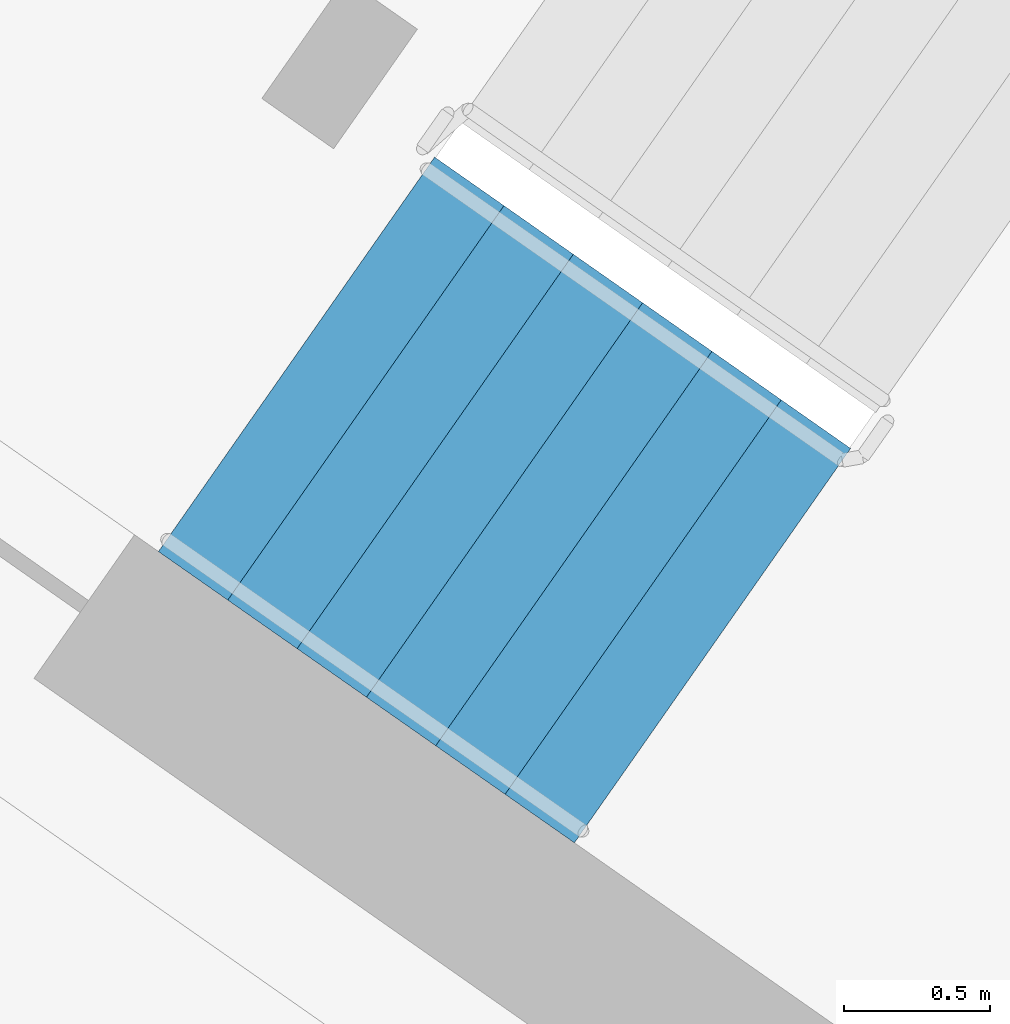
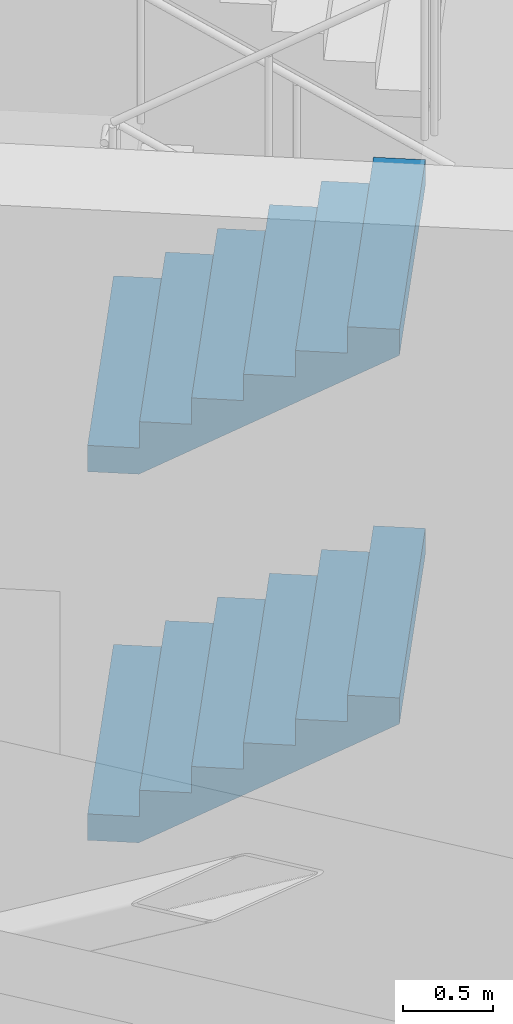
# One storey, part 13 of 24: 2 stair flights, 1 element without a shape of its own.
"""IFC4 building model written with IfcOpenShell, lengths in metres."""

import ifcopenshell
import ifcopenshell.guid

model = None  # the IFC model being written
_history = None  # IfcOwnerHistory: only IFC2X3 demands one
_inside = {}  # id of a spatial element -> (the spatial element, [elements in it])
_under = {}  # id of a project, library or spatial element -> (it, [spatial elements below it])
_declared = {}  # id of a project -> (the project, [libraries it declares])
_typed = {}  # id of a type object -> (the type object, [elements of that type])
_made_of = {}  # id of a material, layer set ... -> (it, [elements and type objects made of it])


def new_model(schema):
    """Start an empty IFC model of exactly this schema.

    Asked for "IFC4X3", IfcOpenShell would pick the latest addendum, in which some entities
    have other attributes; the version numbers below select the first issue.
    IFC2X3 requires an IfcOwnerHistory on every rooted entity: one is made here for all.
    """
    global model, _history
    if schema == "IFC4X3":
        model = ifcopenshell.file(schema_version=(4, 3, 0, 0))
    else:
        model = ifcopenshell.file(schema=schema)
    _inside.clear()
    _under.clear()
    _declared.clear()
    _typed.clear()
    _made_of.clear()
    _history = None
    if model.schema == "IFC2X3":
        org = make("IfcOrganization", Name="unknown")
        user = make(
            "IfcPersonAndOrganization",
            ThePerson=make("IfcPerson", FamilyName="unknown"),
            TheOrganization=org,
        )
        app = make(
            "IfcApplication",
            ApplicationDeveloper=org,
            Version="unknown",
            ApplicationFullName="unknown",
            ApplicationIdentifier="unknown",
        )
        _history = make(
            "IfcOwnerHistory",
            OwningUser=user,
            OwningApplication=app,
            ChangeAction="ADDED",
            CreationDate=0,
        )
    return model


def make(cls, **values):
    """One entity of the class cls with the attributes given. An attribute that is None is left unset."""
    return model.create_entity(
        cls, **{name: value for name, value in values.items() if value is not None}
    )


def rooted(cls, **values):
    """An entity with a GlobalId (a new one), such as an element, a storey or a relation."""
    return make(cls, GlobalId=ifcopenshell.guid.new(), OwnerHistory=_history, **values)


def si_unit(unit_type, name, prefix=None):
    """IfcSIUnit, for example si_unit("LENGTHUNIT", "METRE", prefix="MILLI")."""
    return make("IfcSIUnit", UnitType=unit_type, Prefix=prefix, Name=name)


def assignment(units):
    """IfcUnitAssignment: the units of a project."""
    return None if units is None else make("IfcUnitAssignment", Units=units)


def point(xyz):
    """IfcCartesianPoint."""
    return None if xyz is None else make("IfcCartesianPoint", Coordinates=xyz)


def direction(xyz):
    """IfcDirection."""
    return None if xyz is None else make("IfcDirection", DirectionRatios=xyz)


def frame(location, z_axis=None, x_axis=None):
    """IfcAxis2Placement3D, a coordinate frame: its origin and axes. An axis left out is left unset."""
    return make(
        "IfcAxis2Placement3D",
        Location=point(location),
        Axis=direction(z_axis),
        RefDirection=direction(x_axis),
    )


def origin():
    """The frame at (0, 0, 0) with its axes left unset."""
    return frame((0.0, 0.0, 0.0))


def place(relative_to, where):
    """IfcLocalPlacement: puts the frame where relative to a parent placement (None: the world)."""
    return make(
        "IfcLocalPlacement", PlacementRelTo=relative_to, RelativePlacement=where
    )


def context(
    kind, dimensions, precision=None, world=None, true_north=None, identifier=None
):
    """IfcGeometricRepresentationContext, for example the 3D "Model" context."""
    return make(
        "IfcGeometricRepresentationContext",
        ContextIdentifier=identifier,
        ContextType=kind,
        CoordinateSpaceDimension=dimensions,
        Precision=precision,
        WorldCoordinateSystem=world,
        TrueNorth=true_north,
    )


def subcontext(parent, identifier, kind, view, scale=None):
    """IfcGeometricRepresentationSubContext, for example "Body" below "Model"."""
    return make(
        "IfcGeometricRepresentationSubContext",
        ContextIdentifier=identifier,
        ContextType=kind,
        ParentContext=parent,
        TargetScale=scale,
        TargetView=view,
    )


def project(units=None, contexts=None):
    """IfcProject with its units and contexts."""
    return rooted(
        "IfcProject",
        Name="project",
        RepresentationContexts=contexts,
        UnitsInContext=assignment(units),
    )


def spatial(cls, under=None, at=None, **own):
    """A site, building, storey or space (cls), placed at a placement, below another one or the project."""
    s = rooted(cls, ObjectPlacement=at, **own)
    if under is not None:
        _under.setdefault(under.id(), (under, []))[1].append(s)
    return s


def faces_of(points, faces, orient=None, outer=None):
    """IfcFace entities. A face is a list of loops; a loop is a list of indices into points, from 0.

    orient and outer hold one flag for each loop. By default every Orientation is true, the
    first loop of a face is its IfcFaceOuterBound and the others are IfcFaceBound.
    """
    made = []
    for i, loops in enumerate(faces):
        bounds = []
        for j, loop in enumerate(loops):
            is_outer = j == 0 if outer is None else outer[i][j]
            bounds.append(
                make(
                    "IfcFaceOuterBound" if is_outer else "IfcFaceBound",
                    Bound=make("IfcPolyLoop", Polygon=[points[k] for k in loop]),
                    Orientation=True if orient is None else orient[i][j],
                )
            )
        made.append(make("IfcFace", Bounds=bounds))
    return made


def faceted_brep(points, faces, orient=None, outer=None, voids=None):
    """IfcFacetedBrep: a solid bounded by flat faces; with voids (closed shells), ...WithVoids."""
    shared = [point(p) for p in points]
    hull = make("IfcClosedShell", CfsFaces=faces_of(shared, faces, orient, outer))
    if voids is None:
        return make("IfcFacetedBrep", Outer=hull)
    return make(
        "IfcFacetedBrepWithVoids",
        Outer=hull,
        Voids=[
            make(cls, CfsFaces=faces_of(shared, fs, o, b)) for cls, fs, o, b in voids
        ],
    )


def shape(context_of_items, identifier, shape_type, items):
    """IfcShapeRepresentation: the items that make up one representation, for example the "Body"."""
    return make(
        "IfcShapeRepresentation",
        ContextOfItems=context_of_items,
        RepresentationIdentifier=identifier,
        RepresentationType=shape_type,
        Items=items,
    )


def material(Name=None, Category=None):
    """IfcMaterial."""
    return make("IfcMaterial", Name=Name, Category=Category)


def made_of(thing, what):
    """Note that an element or type object is made of a material, layer set ...; save() writes the relation."""
    if what is not None:
        _made_of.setdefault(what.id(), (what, []))[1].append(thing)
    return thing


def type_object(cls, material=None, **own):
    """A type object (cls), such as IfcWallType, which elements share."""
    return made_of(rooted(cls, **own), material)


def element(
    cls,
    number,
    at=None,
    inside=None,
    cuts=None,
    type_object=None,
    material=None,
    context=None,
    identifier="Body",
    shape_type=None,
    held_by="IfcProductDefinitionShape",
    body=None,
    shapes=None,
    **own,
):
    """One element of the class cls, such as IfcWall. Its Tag is "e" and its number.

    at: its placement. inside: the storey or other place that contains it. cuts: it is an
    opening in that element (IfcRelVoidsElement). A single representation is given by context,
    identifier, shape_type and body (its items); several are given by shapes. held_by: the class
    of the entity that holds the representations. save() writes the other relations.
    """
    e = rooted(cls, Tag="e%d" % number, ObjectPlacement=at, **own)
    if body is not None:
        shapes = [shape(context, identifier, shape_type, body)]
    if shapes is not None:
        e.Representation = make(held_by, Representations=shapes)
    if inside is not None:
        _inside.setdefault(inside.id(), (inside, []))[1].append(e)
    if cuts is not None:
        rooted(
            "IfcRelVoidsElement", RelatingBuildingElement=cuts, RelatedOpeningElement=e
        )
    if type_object is not None:
        _typed.setdefault(type_object.id(), (type_object, []))[1].append(e)
    return made_of(e, material)


def aggregate(whole, parts):
    """IfcRelAggregates: a whole, such as a stair, and the parts it consists of."""
    return rooted("IfcRelAggregates", RelatingObject=whole, RelatedObjects=parts)


def save(model, path):
    """Write the relations noted so far, then the file.

    IfcRelAggregates (storeys below a building ...), IfcRelContainedInSpatialStructure (elements
    in a storey), IfcRelDefinesByType, IfcRelAssociatesMaterial and IfcRelDeclares: one each for
    every whole, place, type object, material and project.
    """
    for whole, parts in _under.values():
        aggregate(whole, parts)
    for where, things in _inside.values():
        rooted(
            "IfcRelContainedInSpatialStructure",
            RelatedElements=things,
            RelatingStructure=where,
        )
    for kind, things in _typed.values():
        rooted("IfcRelDefinesByType", RelatedObjects=things, RelatingType=kind)
    for what, things in _made_of.values():
        rooted("IfcRelAssociatesMaterial", RelatedObjects=things, RelatingMaterial=what)
    for by, libraries in _declared.values():
        rooted("IfcRelDeclares", RelatingContext=by, RelatedDefinitions=libraries)
    model.write(path)


model = new_model("IFC4")

# Units and contexts
model_context = context("Model", 3, precision=1e-05, world=origin(), true_north=direction((0.0, 1.0)))
body_context = subcontext(model_context, "Body", "Model", "MODEL_VIEW")
ifc_project = project(units=[si_unit("LENGTHUNIT", "METRE"), si_unit("AREAUNIT", "SQUARE_METRE"), si_unit("VOLUMEUNIT", "CUBIC_METRE"), si_unit("PLANEANGLEUNIT", "RADIAN"), si_unit("MASSUNIT", "GRAM", prefix="KILO")], contexts=[model_context])

# Site, building, storey
site_placement = place(None, origin())
site = spatial("IfcSite", under=ifc_project, at=site_placement, CompositionType="ELEMENT")
building_placement = place(site_placement, origin())
building = spatial("IfcBuilding", under=site, at=building_placement, Name="Qamariyya Broadcast Tower", CompositionType="ELEMENT")
storey_placement = place(building_placement, frame((0.0, 0.0, 253.10009765625)))
storey = spatial("IfcBuildingStorey", under=building, at=storey_placement, Name="L61", CompositionType="ELEMENT", Elevation=253.10009765625)

# Stair, stair flights
ifc_material = material(Name="Concrete C50/60", Category="concrete")
stair_type = type_object("IfcStairType", Name="Exit stair 28 risers of 179 mm", PredefinedType="HALF_TURN_STAIR", material=ifc_material)
stair_placement = place(storey_placement, origin())
stair = element("IfcStair", 1, at=stair_placement, inside=storey, type_object=stair_type, Name="L61 Stair W1", PredefinedType="HALF_TURN_STAIR")
stair_flight_type = type_object("IfcStairFlightType", Name="Exit stair flight 7 risers of 179 mm", PredefinedType="STRAIGHT", material=ifc_material)
stair_flight_1_placement = place(storey_placement, frame((-47.06884765625, -56.982666015625, 0.0), z_axis=(0.0, 0.0, 1.0), x_axis=(0.819152044289, -0.573576436351, 0.0)))
stair_flight_1 = element("IfcStairFlight", 2, at=stair_flight_1_placement, type_object=stair_flight_type, Name="ST-W1 flight 1", NumberOfRisers=7, NumberOfTreads=6, PredefinedType="STRAIGHT", RiserHeight=0.178571429, TreadLength=0.29, context=body_context, shape_type="Brep", body=[
    faceted_brep([(0.0, 0.824951171875, 0.0), (0.0, 0.824951171875, 0.178466796875), (0.2900390625, 0.824951171875, 0.178466796875), (0.2900390625, 0.824951171875, 0.357177734375), (0.580078125, 0.824951171875, 0.357177734375), (0.580078125, 0.824951171875, 0.53564453125), (0.8701171875, 0.824951171875, 0.53564453125), (0.8701171875, 0.824951171875, 0.71435546875), (1.159912109375, 0.824951171875, 0.71435546875), (1.159912109375, 0.824951171875, 0.892822265625), (1.449951171875, 0.824951171875, 0.892822265625), (1.449951171875, 0.824951171875, 1.071533203125), (1.739990234375, 0.824951171875, 1.071533203125), (1.739990234375, 0.824951171875, 0.8955078125), (0.285888671875, 0.824951171875, 0.0), (0.285888671875, -0.824951171875, 0.0), (1.739990234375, -0.824951171875, 0.8955078125), (1.739990234375, -0.824951171875, 1.071533203125), (1.449951171875, -0.824951171875, 1.071533203125), (1.449951171875, -0.824951171875, 0.892822265625), (1.159912109375, -0.824951171875, 0.892822265625), (1.159912109375, -0.824951171875, 0.71435546875), (0.8701171875, -0.824951171875, 0.71435546875), (0.8701171875, -0.824951171875, 0.53564453125), (0.580078125, -0.824951171875, 0.53564453125), (0.580078125, -0.824951171875, 0.357177734375), (0.2900390625, -0.824951171875, 0.357177734375), (0.2900390625, -0.824951171875, 0.178466796875), (0.0, -0.824951171875, 0.178466796875), (0.0, -0.824951171875, 0.0), (0.0, 0.10009765625, 0.0), (0.0, 0.086669921875, 0.0), (0.0, 0.0732421875, 0.0), (0.0, 0.06005859375, 0.0), (0.0, 0.046630859375, 0.0), (0.0, 0.033447265625, 0.0), (0.0, 0.02001953125, 0.0), (0.0, 0.006591796875, 0.0), (0.0, -0.006591796875, 0.0), (0.0, -0.02001953125, 0.0), (0.0, -0.033447265625, 0.0), (0.0, -0.046630859375, 0.0), (0.0, -0.06005859375, 0.0), (0.0, -0.0732421875, 0.0), (0.0, -0.086669921875, 0.0), (0.0, -0.10009765625, 0.0), (0.0, -0.10009765625, 0.178466796875), (0.0, -0.086669921875, 0.178466796875), (0.0, -0.0732421875, 0.178466796875), (0.0, -0.06005859375, 0.178466796875), (0.0, -0.046630859375, 0.178466796875), (0.0, -0.033447265625, 0.178466796875), (0.0, -0.02001953125, 0.178466796875), (0.0, -0.006591796875, 0.178466796875), (0.0, 0.006591796875, 0.178466796875), (0.0, 0.02001953125, 0.178466796875), (0.0, 0.033447265625, 0.178466796875), (0.0, 0.046630859375, 0.178466796875), (0.0, 0.06005859375, 0.178466796875), (0.0, 0.0732421875, 0.178466796875), (0.0, 0.086669921875, 0.178466796875), (0.0, 0.10009765625, 0.178466796875), (0.2900390625, -0.10009765625, 0.178466796875), (0.2900390625, -0.086669921875, 0.178466796875), (0.2900390625, -0.0732421875, 0.178466796875), (0.2900390625, -0.06005859375, 0.178466796875), (0.2900390625, -0.046630859375, 0.178466796875), (0.2900390625, -0.033447265625, 0.178466796875), (0.2900390625, -0.02001953125, 0.178466796875), (0.2900390625, -0.006591796875, 0.178466796875), (0.2900390625, 0.006591796875, 0.178466796875), (0.2900390625, 0.02001953125, 0.178466796875), (0.2900390625, 0.033447265625, 0.178466796875), (0.2900390625, 0.046630859375, 0.178466796875), (0.2900390625, 0.06005859375, 0.178466796875), (0.2900390625, 0.0732421875, 0.178466796875), (0.2900390625, 0.086669921875, 0.178466796875), (0.2900390625, 0.10009765625, 0.178466796875), (0.2900390625, -0.10009765625, 0.357177734375), (0.2900390625, -0.086669921875, 0.357177734375), (0.2900390625, -0.0732421875, 0.357177734375), (0.2900390625, -0.06005859375, 0.357177734375), (0.2900390625, -0.046630859375, 0.357177734375), (0.2900390625, -0.033447265625, 0.357177734375), (0.2900390625, -0.02001953125, 0.357177734375), (0.2900390625, -0.006591796875, 0.357177734375), (0.2900390625, 0.006591796875, 0.357177734375), (0.2900390625, 0.02001953125, 0.357177734375), (0.2900390625, 0.033447265625, 0.357177734375), (0.2900390625, 0.046630859375, 0.357177734375), (0.2900390625, 0.06005859375, 0.357177734375), (0.2900390625, 0.0732421875, 0.357177734375), (0.2900390625, 0.086669921875, 0.357177734375), (0.2900390625, 0.10009765625, 0.357177734375), (0.580078125, -0.10009765625, 0.357177734375), (0.580078125, -0.086669921875, 0.357177734375), (0.580078125, -0.0732421875, 0.357177734375), (0.580078125, -0.06005859375, 0.357177734375), (0.580078125, -0.046630859375, 0.357177734375), (0.580078125, -0.033447265625, 0.357177734375), (0.580078125, -0.02001953125, 0.357177734375), (0.580078125, -0.006591796875, 0.357177734375), (0.580078125, 0.006591796875, 0.357177734375), (0.580078125, 0.02001953125, 0.357177734375), (0.580078125, 0.033447265625, 0.357177734375), (0.580078125, 0.046630859375, 0.357177734375), (0.580078125, 0.06005859375, 0.357177734375), (0.580078125, 0.0732421875, 0.357177734375), (0.580078125, 0.086669921875, 0.357177734375), (0.580078125, 0.10009765625, 0.357177734375), (0.580078125, -0.10009765625, 0.53564453125), (0.580078125, -0.086669921875, 0.53564453125), (0.580078125, -0.0732421875, 0.53564453125), (0.580078125, -0.06005859375, 0.53564453125), (0.580078125, -0.046630859375, 0.53564453125), (0.580078125, -0.033447265625, 0.53564453125), (0.580078125, -0.02001953125, 0.53564453125), (0.580078125, -0.006591796875, 0.53564453125), (0.580078125, 0.006591796875, 0.53564453125), (0.580078125, 0.02001953125, 0.53564453125), (0.580078125, 0.033447265625, 0.53564453125), (0.580078125, 0.046630859375, 0.53564453125), (0.580078125, 0.06005859375, 0.53564453125), (0.580078125, 0.0732421875, 0.53564453125), (0.580078125, 0.086669921875, 0.53564453125), (0.580078125, 0.10009765625, 0.53564453125), (0.8701171875, -0.10009765625, 0.53564453125), (0.8701171875, -0.086669921875, 0.53564453125), (0.8701171875, -0.0732421875, 0.53564453125), (0.8701171875, -0.06005859375, 0.53564453125), (0.8701171875, -0.046630859375, 0.53564453125), (0.8701171875, -0.033447265625, 0.53564453125), (0.8701171875, -0.02001953125, 0.53564453125), (0.8701171875, -0.006591796875, 0.53564453125), (0.8701171875, 0.006591796875, 0.53564453125), (0.8701171875, 0.02001953125, 0.53564453125), (0.8701171875, 0.033447265625, 0.53564453125), (0.8701171875, 0.046630859375, 0.53564453125), (0.8701171875, 0.06005859375, 0.53564453125), (0.8701171875, 0.0732421875, 0.53564453125), (0.8701171875, 0.086669921875, 0.53564453125), (0.8701171875, 0.10009765625, 0.53564453125), (0.8701171875, -0.10009765625, 0.71435546875), (0.8701171875, -0.086669921875, 0.71435546875), (0.8701171875, -0.0732421875, 0.71435546875), (0.8701171875, -0.06005859375, 0.71435546875), (0.8701171875, -0.046630859375, 0.71435546875), (0.8701171875, -0.033447265625, 0.71435546875), (0.8701171875, -0.02001953125, 0.71435546875), (0.8701171875, -0.006591796875, 0.71435546875), (0.8701171875, 0.006591796875, 0.71435546875), (0.8701171875, 0.02001953125, 0.71435546875), (0.8701171875, 0.033447265625, 0.71435546875), (0.8701171875, 0.046630859375, 0.71435546875), (0.8701171875, 0.06005859375, 0.71435546875), (0.8701171875, 0.0732421875, 0.71435546875), (0.8701171875, 0.086669921875, 0.71435546875), (0.8701171875, 0.10009765625, 0.71435546875), (1.159912109375, -0.10009765625, 0.71435546875), (1.159912109375, -0.086669921875, 0.71435546875), (1.159912109375, -0.0732421875, 0.71435546875), (1.159912109375, -0.06005859375, 0.71435546875), (1.159912109375, -0.046630859375, 0.71435546875), (1.159912109375, -0.033447265625, 0.71435546875), (1.159912109375, -0.02001953125, 0.71435546875), (1.159912109375, -0.006591796875, 0.71435546875), (1.159912109375, 0.006591796875, 0.71435546875), (1.159912109375, 0.02001953125, 0.71435546875), (1.159912109375, 0.033447265625, 0.71435546875), (1.159912109375, 0.046630859375, 0.71435546875), (1.159912109375, 0.06005859375, 0.71435546875), (1.159912109375, 0.0732421875, 0.71435546875), (1.159912109375, 0.086669921875, 0.71435546875), (1.159912109375, 0.10009765625, 0.71435546875), (1.159912109375, -0.10009765625, 0.892822265625), (1.159912109375, -0.086669921875, 0.892822265625), (1.159912109375, -0.0732421875, 0.892822265625), (1.159912109375, -0.06005859375, 0.892822265625), (1.159912109375, -0.046630859375, 0.892822265625), (1.159912109375, -0.033447265625, 0.892822265625), (1.159912109375, -0.02001953125, 0.892822265625), (1.159912109375, -0.006591796875, 0.892822265625), (1.159912109375, 0.006591796875, 0.892822265625), (1.159912109375, 0.02001953125, 0.892822265625), (1.159912109375, 0.033447265625, 0.892822265625), (1.159912109375, 0.046630859375, 0.892822265625), (1.159912109375, 0.06005859375, 0.892822265625), (1.159912109375, 0.0732421875, 0.892822265625), (1.159912109375, 0.086669921875, 0.892822265625), (1.159912109375, 0.10009765625, 0.892822265625), (1.449951171875, -0.10009765625, 0.892822265625), (1.449951171875, -0.086669921875, 0.892822265625), (1.449951171875, -0.0732421875, 0.892822265625), (1.449951171875, -0.06005859375, 0.892822265625), (1.449951171875, -0.046630859375, 0.892822265625), (1.449951171875, -0.033447265625, 0.892822265625), (1.449951171875, -0.02001953125, 0.892822265625), (1.449951171875, -0.006591796875, 0.892822265625), (1.449951171875, 0.006591796875, 0.892822265625), (1.449951171875, 0.02001953125, 0.892822265625), (1.449951171875, 0.033447265625, 0.892822265625), (1.449951171875, 0.046630859375, 0.892822265625), (1.449951171875, 0.06005859375, 0.892822265625), (1.449951171875, 0.0732421875, 0.892822265625), (1.449951171875, 0.086669921875, 0.892822265625), (1.449951171875, 0.10009765625, 0.892822265625), (1.449951171875, -0.10009765625, 1.071533203125), (1.449951171875, -0.086669921875, 1.071533203125), (1.449951171875, -0.0732421875, 1.071533203125), (1.449951171875, -0.06005859375, 1.071533203125), (1.449951171875, -0.046630859375, 1.071533203125), (1.449951171875, -0.033447265625, 1.071533203125), (1.449951171875, -0.02001953125, 1.071533203125), (1.449951171875, -0.006591796875, 1.071533203125), (1.449951171875, 0.006591796875, 1.071533203125), (1.449951171875, 0.02001953125, 1.071533203125), (1.449951171875, 0.033447265625, 1.071533203125), (1.449951171875, 0.046630859375, 1.071533203125), (1.449951171875, 0.06005859375, 1.071533203125), (1.449951171875, 0.0732421875, 1.071533203125), (1.449951171875, 0.086669921875, 1.071533203125), (1.449951171875, 0.10009765625, 1.071533203125), (1.739990234375, -0.10009765625, 1.071533203125), (1.739990234375, -0.086669921875, 1.071533203125), (1.739990234375, -0.0732421875, 1.071533203125), (1.739990234375, -0.06005859375, 1.071533203125), (1.739990234375, -0.046630859375, 1.071533203125), (1.739990234375, -0.033447265625, 1.071533203125), (1.739990234375, -0.02001953125, 1.071533203125), (1.739990234375, -0.006591796875, 1.071533203125), (1.739990234375, 0.006591796875, 1.071533203125), (1.739990234375, 0.02001953125, 1.071533203125), (1.739990234375, 0.033447265625, 1.071533203125), (1.739990234375, 0.046630859375, 1.071533203125), (1.739990234375, 0.06005859375, 1.071533203125), (1.739990234375, 0.0732421875, 1.071533203125), (1.739990234375, 0.086669921875, 1.071533203125), (1.739990234375, 0.10009765625, 1.071533203125), (1.739990234375, -0.10009765625, 0.8955078125), (1.739990234375, -0.086669921875, 0.8955078125), (1.739990234375, -0.0732421875, 0.8955078125), (1.739990234375, -0.06005859375, 0.8955078125), (1.739990234375, -0.046630859375, 0.8955078125), (1.739990234375, -0.033447265625, 0.8955078125), (1.739990234375, -0.02001953125, 0.8955078125), (1.739990234375, -0.006591796875, 0.8955078125), (1.739990234375, 0.006591796875, 0.8955078125), (1.739990234375, 0.02001953125, 0.8955078125), (1.739990234375, 0.033447265625, 0.8955078125), (1.739990234375, 0.046630859375, 0.8955078125), (1.739990234375, 0.06005859375, 0.8955078125), (1.739990234375, 0.0732421875, 0.8955078125), (1.739990234375, 0.086669921875, 0.8955078125), (1.739990234375, 0.10009765625, 0.8955078125), (0.285888671875, -0.10009765625, 0.0), (0.285888671875, -0.086669921875, 0.0), (0.285888671875, -0.0732421875, 0.0), (0.285888671875, -0.06005859375, 0.0), (0.285888671875, -0.046630859375, 0.0), (0.285888671875, -0.033447265625, 0.0), (0.285888671875, -0.02001953125, 0.0), (0.285888671875, -0.006591796875, 0.0), (0.285888671875, 0.006591796875, 0.0), (0.285888671875, 0.02001953125, 0.0), (0.285888671875, 0.033447265625, 0.0), (0.285888671875, 0.046630859375, 0.0), (0.285888671875, 0.06005859375, 0.0), (0.285888671875, 0.0732421875, 0.0), (0.285888671875, 0.086669921875, 0.0), (0.285888671875, 0.10009765625, 0.0)], [[[0, 1, 2, 3, 4, 5, 6, 7, 8, 9, 10, 11, 12, 13, 14]], [[15, 16, 17, 18, 19, 20, 21, 22, 23, 24, 25, 26, 27, 28, 29]], [[0, 30, 31, 32, 33, 34, 35, 36, 37, 38, 39, 40, 41, 42, 43, 44, 45, 29, 28, 46, 47, 48, 49, 50, 51, 52, 53, 54, 55, 56, 57, 58, 59, 60, 61, 1]], [[1, 61, 60, 59, 58, 57, 56, 55, 54, 53, 52, 51, 50, 49, 48, 47, 46, 28, 27, 62, 63, 64, 65, 66, 67, 68, 69, 70, 71, 72, 73, 74, 75, 76, 77, 2]], [[2, 77, 76, 75, 74, 73, 72, 71, 70, 69, 68, 67, 66, 65, 64, 63, 62, 27, 26, 78, 79, 80, 81, 82, 83, 84, 85, 86, 87, 88, 89, 90, 91, 92, 93, 3]], [[3, 93, 92, 91, 90, 89, 88, 87, 86, 85, 84, 83, 82, 81, 80, 79, 78, 26, 25, 94, 95, 96, 97, 98, 99, 100, 101, 102, 103, 104, 105, 106, 107, 108, 109, 4]], [[4, 109, 108, 107, 106, 105, 104, 103, 102, 101, 100, 99, 98, 97, 96, 95, 94, 25, 24, 110, 111, 112, 113, 114, 115, 116, 117, 118, 119, 120, 121, 122, 123, 124, 125, 5]], [[5, 125, 124, 123, 122, 121, 120, 119, 118, 117, 116, 115, 114, 113, 112, 111, 110, 24, 23, 126, 127, 128, 129, 130, 131, 132, 133, 134, 135, 136, 137, 138, 139, 140, 141, 6]], [[6, 141, 140, 139, 138, 137, 136, 135, 134, 133, 132, 131, 130, 129, 128, 127, 126, 23, 22, 142, 143, 144, 145, 146, 147, 148, 149, 150, 151, 152, 153, 154, 155, 156, 157, 7]], [[7, 157, 156, 155, 154, 153, 152, 151, 150, 149, 148, 147, 146, 145, 144, 143, 142, 22, 21, 158, 159, 160, 161, 162, 163, 164, 165, 166, 167, 168, 169, 170, 171, 172, 173, 8]], [[8, 173, 172, 171, 170, 169, 168, 167, 166, 165, 164, 163, 162, 161, 160, 159, 158, 21, 20, 174, 175, 176, 177, 178, 179, 180, 181, 182, 183, 184, 185, 186, 187, 188, 189, 9]], [[9, 189, 188, 187, 186, 185, 184, 183, 182, 181, 180, 179, 178, 177, 176, 175, 174, 20, 19, 190, 191, 192, 193, 194, 195, 196, 197, 198, 199, 200, 201, 202, 203, 204, 205, 10]], [[10, 205, 204, 203, 202, 201, 200, 199, 198, 197, 196, 195, 194, 193, 192, 191, 190, 19, 18, 206, 207, 208, 209, 210, 211, 212, 213, 214, 215, 216, 217, 218, 219, 220, 221, 11]], [[11, 221, 220, 219, 218, 217, 216, 215, 214, 213, 212, 211, 210, 209, 208, 207, 206, 18, 17, 222, 223, 224, 225, 226, 227, 228, 229, 230, 231, 232, 233, 234, 235, 236, 237, 12]], [[12, 237, 236, 235, 234, 233, 232, 231, 230, 229, 228, 227, 226, 225, 224, 223, 222, 17, 16, 238, 239, 240, 241, 242, 243, 244, 245, 246, 247, 248, 249, 250, 251, 252, 253, 13]], [[13, 253, 252, 251, 250, 249, 248, 247, 246, 245, 244, 243, 242, 241, 240, 239, 238, 16, 15, 254, 255, 256, 257, 258, 259, 260, 261, 262, 263, 264, 265, 266, 267, 268, 269, 14]], [[14, 269, 268, 267, 266, 265, 264, 263, 262, 261, 260, 259, 258, 257, 256, 255, 254, 15, 29, 45, 44, 43, 42, 41, 40, 39, 38, 37, 36, 35, 34, 33, 32, 31, 30, 0]]]),
])
stair_flight_2_placement = place(storey_placement, frame((-47.06884765625, -56.982666015625, 2.5), z_axis=(0.0, 0.0, 1.0), x_axis=(0.819152044289, -0.573576436351, 0.0)))
stair_flight_2 = element("IfcStairFlight", 3, at=stair_flight_2_placement, type_object=stair_flight_type, Name="ST-W1 flight 3", NumberOfRisers=7, NumberOfTreads=6, PredefinedType="STRAIGHT", RiserHeight=0.178571429, TreadLength=0.29, context=body_context, shape_type="Brep", body=[
    faceted_brep([(0.0, 0.824951171875, 0.0), (0.0, 0.824951171875, 0.178466796875), (0.2900390625, 0.824951171875, 0.178466796875), (0.2900390625, 0.824951171875, 0.357177734375), (0.580078125, 0.824951171875, 0.357177734375), (0.580078125, 0.824951171875, 0.53564453125), (0.8701171875, 0.824951171875, 0.53564453125), (0.8701171875, 0.824951171875, 0.71435546875), (1.159912109375, 0.824951171875, 0.71435546875), (1.159912109375, 0.824951171875, 0.892822265625), (1.449951171875, 0.824951171875, 0.892822265625), (1.449951171875, 0.824951171875, 1.071533203125), (1.739990234375, 0.824951171875, 1.071533203125), (1.739990234375, 0.824951171875, 0.8955078125), (0.285888671875, 0.824951171875, 0.0), (0.285888671875, -0.824951171875, 0.0), (1.739990234375, -0.824951171875, 0.8955078125), (1.739990234375, -0.824951171875, 1.071533203125), (1.449951171875, -0.824951171875, 1.071533203125), (1.449951171875, -0.824951171875, 0.892822265625), (1.159912109375, -0.824951171875, 0.892822265625), (1.159912109375, -0.824951171875, 0.71435546875), (0.8701171875, -0.824951171875, 0.71435546875), (0.8701171875, -0.824951171875, 0.53564453125), (0.580078125, -0.824951171875, 0.53564453125), (0.580078125, -0.824951171875, 0.357177734375), (0.2900390625, -0.824951171875, 0.357177734375), (0.2900390625, -0.824951171875, 0.178466796875), (0.0, -0.824951171875, 0.178466796875), (0.0, -0.824951171875, 0.0), (0.0, 0.10009765625, 0.0), (0.0, 0.086669921875, 0.0), (0.0, 0.0732421875, 0.0), (0.0, 0.06005859375, 0.0), (0.0, 0.046630859375, 0.0), (0.0, 0.033447265625, 0.0), (0.0, 0.02001953125, 0.0), (0.0, 0.006591796875, 0.0), (0.0, -0.006591796875, 0.0), (0.0, -0.02001953125, 0.0), (0.0, -0.033447265625, 0.0), (0.0, -0.046630859375, 0.0), (0.0, -0.06005859375, 0.0), (0.0, -0.0732421875, 0.0), (0.0, -0.086669921875, 0.0), (0.0, -0.10009765625, 0.0), (0.0, -0.10009765625, 0.178466796875), (0.0, -0.086669921875, 0.178466796875), (0.0, -0.0732421875, 0.178466796875), (0.0, -0.06005859375, 0.178466796875), (0.0, -0.046630859375, 0.178466796875), (0.0, -0.033447265625, 0.178466796875), (0.0, -0.02001953125, 0.178466796875), (0.0, -0.006591796875, 0.178466796875), (0.0, 0.006591796875, 0.178466796875), (0.0, 0.02001953125, 0.178466796875), (0.0, 0.033447265625, 0.178466796875), (0.0, 0.046630859375, 0.178466796875), (0.0, 0.06005859375, 0.178466796875), (0.0, 0.0732421875, 0.178466796875), (0.0, 0.086669921875, 0.178466796875), (0.0, 0.10009765625, 0.178466796875), (0.2900390625, -0.10009765625, 0.178466796875), (0.2900390625, -0.086669921875, 0.178466796875), (0.2900390625, -0.0732421875, 0.178466796875), (0.2900390625, -0.06005859375, 0.178466796875), (0.2900390625, -0.046630859375, 0.178466796875), (0.2900390625, -0.033447265625, 0.178466796875), (0.2900390625, -0.02001953125, 0.178466796875), (0.2900390625, -0.006591796875, 0.178466796875), (0.2900390625, 0.006591796875, 0.178466796875), (0.2900390625, 0.02001953125, 0.178466796875), (0.2900390625, 0.033447265625, 0.178466796875), (0.2900390625, 0.046630859375, 0.178466796875), (0.2900390625, 0.06005859375, 0.178466796875), (0.2900390625, 0.0732421875, 0.178466796875), (0.2900390625, 0.086669921875, 0.178466796875), (0.2900390625, 0.10009765625, 0.178466796875), (0.2900390625, -0.10009765625, 0.357177734375), (0.2900390625, -0.086669921875, 0.357177734375), (0.2900390625, -0.0732421875, 0.357177734375), (0.2900390625, -0.06005859375, 0.357177734375), (0.2900390625, -0.046630859375, 0.357177734375), (0.2900390625, -0.033447265625, 0.357177734375), (0.2900390625, -0.02001953125, 0.357177734375), (0.2900390625, -0.006591796875, 0.357177734375), (0.2900390625, 0.006591796875, 0.357177734375), (0.2900390625, 0.02001953125, 0.357177734375), (0.2900390625, 0.033447265625, 0.357177734375), (0.2900390625, 0.046630859375, 0.357177734375), (0.2900390625, 0.06005859375, 0.357177734375), (0.2900390625, 0.0732421875, 0.357177734375), (0.2900390625, 0.086669921875, 0.357177734375), (0.2900390625, 0.10009765625, 0.357177734375), (0.580078125, -0.10009765625, 0.357177734375), (0.580078125, -0.086669921875, 0.357177734375), (0.580078125, -0.0732421875, 0.357177734375), (0.580078125, -0.06005859375, 0.357177734375), (0.580078125, -0.046630859375, 0.357177734375), (0.580078125, -0.033447265625, 0.357177734375), (0.580078125, -0.02001953125, 0.357177734375), (0.580078125, -0.006591796875, 0.357177734375), (0.580078125, 0.006591796875, 0.357177734375), (0.580078125, 0.02001953125, 0.357177734375), (0.580078125, 0.033447265625, 0.357177734375), (0.580078125, 0.046630859375, 0.357177734375), (0.580078125, 0.06005859375, 0.357177734375), (0.580078125, 0.0732421875, 0.357177734375), (0.580078125, 0.086669921875, 0.357177734375), (0.580078125, 0.10009765625, 0.357177734375), (0.580078125, -0.10009765625, 0.53564453125), (0.580078125, -0.086669921875, 0.53564453125), (0.580078125, -0.0732421875, 0.53564453125), (0.580078125, -0.06005859375, 0.53564453125), (0.580078125, -0.046630859375, 0.53564453125), (0.580078125, -0.033447265625, 0.53564453125), (0.580078125, -0.02001953125, 0.53564453125), (0.580078125, -0.006591796875, 0.53564453125), (0.580078125, 0.006591796875, 0.53564453125), (0.580078125, 0.02001953125, 0.53564453125), (0.580078125, 0.033447265625, 0.53564453125), (0.580078125, 0.046630859375, 0.53564453125), (0.580078125, 0.06005859375, 0.53564453125), (0.580078125, 0.0732421875, 0.53564453125), (0.580078125, 0.086669921875, 0.53564453125), (0.580078125, 0.10009765625, 0.53564453125), (0.8701171875, -0.10009765625, 0.53564453125), (0.8701171875, -0.086669921875, 0.53564453125), (0.8701171875, -0.0732421875, 0.53564453125), (0.8701171875, -0.06005859375, 0.53564453125), (0.8701171875, -0.046630859375, 0.53564453125), (0.8701171875, -0.033447265625, 0.53564453125), (0.8701171875, -0.02001953125, 0.53564453125), (0.8701171875, -0.006591796875, 0.53564453125), (0.8701171875, 0.006591796875, 0.53564453125), (0.8701171875, 0.02001953125, 0.53564453125), (0.8701171875, 0.033447265625, 0.53564453125), (0.8701171875, 0.046630859375, 0.53564453125), (0.8701171875, 0.06005859375, 0.53564453125), (0.8701171875, 0.0732421875, 0.53564453125), (0.8701171875, 0.086669921875, 0.53564453125), (0.8701171875, 0.10009765625, 0.53564453125), (0.8701171875, -0.10009765625, 0.71435546875), (0.8701171875, -0.086669921875, 0.71435546875), (0.8701171875, -0.0732421875, 0.71435546875), (0.8701171875, -0.06005859375, 0.71435546875), (0.8701171875, -0.046630859375, 0.71435546875), (0.8701171875, -0.033447265625, 0.71435546875), (0.8701171875, -0.02001953125, 0.71435546875), (0.8701171875, -0.006591796875, 0.71435546875), (0.8701171875, 0.006591796875, 0.71435546875), (0.8701171875, 0.02001953125, 0.71435546875), (0.8701171875, 0.033447265625, 0.71435546875), (0.8701171875, 0.046630859375, 0.71435546875), (0.8701171875, 0.06005859375, 0.71435546875), (0.8701171875, 0.0732421875, 0.71435546875), (0.8701171875, 0.086669921875, 0.71435546875), (0.8701171875, 0.10009765625, 0.71435546875), (1.159912109375, -0.10009765625, 0.71435546875), (1.159912109375, -0.086669921875, 0.71435546875), (1.159912109375, -0.0732421875, 0.71435546875), (1.159912109375, -0.06005859375, 0.71435546875), (1.159912109375, -0.046630859375, 0.71435546875), (1.159912109375, -0.033447265625, 0.71435546875), (1.159912109375, -0.02001953125, 0.71435546875), (1.159912109375, -0.006591796875, 0.71435546875), (1.159912109375, 0.006591796875, 0.71435546875), (1.159912109375, 0.02001953125, 0.71435546875), (1.159912109375, 0.033447265625, 0.71435546875), (1.159912109375, 0.046630859375, 0.71435546875), (1.159912109375, 0.06005859375, 0.71435546875), (1.159912109375, 0.0732421875, 0.71435546875), (1.159912109375, 0.086669921875, 0.71435546875), (1.159912109375, 0.10009765625, 0.71435546875), (1.159912109375, -0.10009765625, 0.892822265625), (1.159912109375, -0.086669921875, 0.892822265625), (1.159912109375, -0.0732421875, 0.892822265625), (1.159912109375, -0.06005859375, 0.892822265625), (1.159912109375, -0.046630859375, 0.892822265625), (1.159912109375, -0.033447265625, 0.892822265625), (1.159912109375, -0.02001953125, 0.892822265625), (1.159912109375, -0.006591796875, 0.892822265625), (1.159912109375, 0.006591796875, 0.892822265625), (1.159912109375, 0.02001953125, 0.892822265625), (1.159912109375, 0.033447265625, 0.892822265625), (1.159912109375, 0.046630859375, 0.892822265625), (1.159912109375, 0.06005859375, 0.892822265625), (1.159912109375, 0.0732421875, 0.892822265625), (1.159912109375, 0.086669921875, 0.892822265625), (1.159912109375, 0.10009765625, 0.892822265625), (1.449951171875, -0.10009765625, 0.892822265625), (1.449951171875, -0.086669921875, 0.892822265625), (1.449951171875, -0.0732421875, 0.892822265625), (1.449951171875, -0.06005859375, 0.892822265625), (1.449951171875, -0.046630859375, 0.892822265625), (1.449951171875, -0.033447265625, 0.892822265625), (1.449951171875, -0.02001953125, 0.892822265625), (1.449951171875, -0.006591796875, 0.892822265625), (1.449951171875, 0.006591796875, 0.892822265625), (1.449951171875, 0.02001953125, 0.892822265625), (1.449951171875, 0.033447265625, 0.892822265625), (1.449951171875, 0.046630859375, 0.892822265625), (1.449951171875, 0.06005859375, 0.892822265625), (1.449951171875, 0.0732421875, 0.892822265625), (1.449951171875, 0.086669921875, 0.892822265625), (1.449951171875, 0.10009765625, 0.892822265625), (1.449951171875, -0.10009765625, 1.071533203125), (1.449951171875, -0.086669921875, 1.071533203125), (1.449951171875, -0.0732421875, 1.071533203125), (1.449951171875, -0.06005859375, 1.071533203125), (1.449951171875, -0.046630859375, 1.071533203125), (1.449951171875, -0.033447265625, 1.071533203125), (1.449951171875, -0.02001953125, 1.071533203125), (1.449951171875, -0.006591796875, 1.071533203125), (1.449951171875, 0.006591796875, 1.071533203125), (1.449951171875, 0.02001953125, 1.071533203125), (1.449951171875, 0.033447265625, 1.071533203125), (1.449951171875, 0.046630859375, 1.071533203125), (1.449951171875, 0.06005859375, 1.071533203125), (1.449951171875, 0.0732421875, 1.071533203125), (1.449951171875, 0.086669921875, 1.071533203125), (1.449951171875, 0.10009765625, 1.071533203125), (1.739990234375, -0.10009765625, 1.071533203125), (1.739990234375, -0.086669921875, 1.071533203125), (1.739990234375, -0.0732421875, 1.071533203125), (1.739990234375, -0.06005859375, 1.071533203125), (1.739990234375, -0.046630859375, 1.071533203125), (1.739990234375, -0.033447265625, 1.071533203125), (1.739990234375, -0.02001953125, 1.071533203125), (1.739990234375, -0.006591796875, 1.071533203125), (1.739990234375, 0.006591796875, 1.071533203125), (1.739990234375, 0.02001953125, 1.071533203125), (1.739990234375, 0.033447265625, 1.071533203125), (1.739990234375, 0.046630859375, 1.071533203125), (1.739990234375, 0.06005859375, 1.071533203125), (1.739990234375, 0.0732421875, 1.071533203125), (1.739990234375, 0.086669921875, 1.071533203125), (1.739990234375, 0.10009765625, 1.071533203125), (1.739990234375, -0.10009765625, 0.8955078125), (1.739990234375, -0.086669921875, 0.8955078125), (1.739990234375, -0.0732421875, 0.8955078125), (1.739990234375, -0.06005859375, 0.8955078125), (1.739990234375, -0.046630859375, 0.8955078125), (1.739990234375, -0.033447265625, 0.8955078125), (1.739990234375, -0.02001953125, 0.8955078125), (1.739990234375, -0.006591796875, 0.8955078125), (1.739990234375, 0.006591796875, 0.8955078125), (1.739990234375, 0.02001953125, 0.8955078125), (1.739990234375, 0.033447265625, 0.8955078125), (1.739990234375, 0.046630859375, 0.8955078125), (1.739990234375, 0.06005859375, 0.8955078125), (1.739990234375, 0.0732421875, 0.8955078125), (1.739990234375, 0.086669921875, 0.8955078125), (1.739990234375, 0.10009765625, 0.8955078125), (0.285888671875, -0.10009765625, 0.0), (0.285888671875, -0.086669921875, 0.0), (0.285888671875, -0.0732421875, 0.0), (0.285888671875, -0.06005859375, 0.0), (0.285888671875, -0.046630859375, 0.0), (0.285888671875, -0.033447265625, 0.0), (0.285888671875, -0.02001953125, 0.0), (0.285888671875, -0.006591796875, 0.0), (0.285888671875, 0.006591796875, 0.0), (0.285888671875, 0.02001953125, 0.0), (0.285888671875, 0.033447265625, 0.0), (0.285888671875, 0.046630859375, 0.0), (0.285888671875, 0.06005859375, 0.0), (0.285888671875, 0.0732421875, 0.0), (0.285888671875, 0.086669921875, 0.0), (0.285888671875, 0.10009765625, 0.0)], [[[0, 1, 2, 3, 4, 5, 6, 7, 8, 9, 10, 11, 12, 13, 14]], [[15, 16, 17, 18, 19, 20, 21, 22, 23, 24, 25, 26, 27, 28, 29]], [[0, 30, 31, 32, 33, 34, 35, 36, 37, 38, 39, 40, 41, 42, 43, 44, 45, 29, 28, 46, 47, 48, 49, 50, 51, 52, 53, 54, 55, 56, 57, 58, 59, 60, 61, 1]], [[1, 61, 60, 59, 58, 57, 56, 55, 54, 53, 52, 51, 50, 49, 48, 47, 46, 28, 27, 62, 63, 64, 65, 66, 67, 68, 69, 70, 71, 72, 73, 74, 75, 76, 77, 2]], [[2, 77, 76, 75, 74, 73, 72, 71, 70, 69, 68, 67, 66, 65, 64, 63, 62, 27, 26, 78, 79, 80, 81, 82, 83, 84, 85, 86, 87, 88, 89, 90, 91, 92, 93, 3]], [[3, 93, 92, 91, 90, 89, 88, 87, 86, 85, 84, 83, 82, 81, 80, 79, 78, 26, 25, 94, 95, 96, 97, 98, 99, 100, 101, 102, 103, 104, 105, 106, 107, 108, 109, 4]], [[4, 109, 108, 107, 106, 105, 104, 103, 102, 101, 100, 99, 98, 97, 96, 95, 94, 25, 24, 110, 111, 112, 113, 114, 115, 116, 117, 118, 119, 120, 121, 122, 123, 124, 125, 5]], [[5, 125, 124, 123, 122, 121, 120, 119, 118, 117, 116, 115, 114, 113, 112, 111, 110, 24, 23, 126, 127, 128, 129, 130, 131, 132, 133, 134, 135, 136, 137, 138, 139, 140, 141, 6]], [[6, 141, 140, 139, 138, 137, 136, 135, 134, 133, 132, 131, 130, 129, 128, 127, 126, 23, 22, 142, 143, 144, 145, 146, 147, 148, 149, 150, 151, 152, 153, 154, 155, 156, 157, 7]], [[7, 157, 156, 155, 154, 153, 152, 151, 150, 149, 148, 147, 146, 145, 144, 143, 142, 22, 21, 158, 159, 160, 161, 162, 163, 164, 165, 166, 167, 168, 169, 170, 171, 172, 173, 8]], [[8, 173, 172, 171, 170, 169, 168, 167, 166, 165, 164, 163, 162, 161, 160, 159, 158, 21, 20, 174, 175, 176, 177, 178, 179, 180, 181, 182, 183, 184, 185, 186, 187, 188, 189, 9]], [[9, 189, 188, 187, 186, 185, 184, 183, 182, 181, 180, 179, 178, 177, 176, 175, 174, 20, 19, 190, 191, 192, 193, 194, 195, 196, 197, 198, 199, 200, 201, 202, 203, 204, 205, 10]], [[10, 205, 204, 203, 202, 201, 200, 199, 198, 197, 196, 195, 194, 193, 192, 191, 190, 19, 18, 206, 207, 208, 209, 210, 211, 212, 213, 214, 215, 216, 217, 218, 219, 220, 221, 11]], [[11, 221, 220, 219, 218, 217, 216, 215, 214, 213, 212, 211, 210, 209, 208, 207, 206, 18, 17, 222, 223, 224, 225, 226, 227, 228, 229, 230, 231, 232, 233, 234, 235, 236, 237, 12]], [[12, 237, 236, 235, 234, 233, 232, 231, 230, 229, 228, 227, 226, 225, 224, 223, 222, 17, 16, 238, 239, 240, 241, 242, 243, 244, 245, 246, 247, 248, 249, 250, 251, 252, 253, 13]], [[13, 253, 252, 251, 250, 249, 248, 247, 246, 245, 244, 243, 242, 241, 240, 239, 238, 16, 15, 254, 255, 256, 257, 258, 259, 260, 261, 262, 263, 264, 265, 266, 267, 268, 269, 14]], [[14, 269, 268, 267, 266, 265, 264, 263, 262, 261, 260, 259, 258, 257, 256, 255, 254, 15, 29, 45, 44, 43, 42, 41, 40, 39, 38, 37, 36, 35, 34, 33, 32, 31, 30, 0]]]),
])
aggregate(stair, [stair_flight_1, stair_flight_2])

save(model, "model.ifc")
